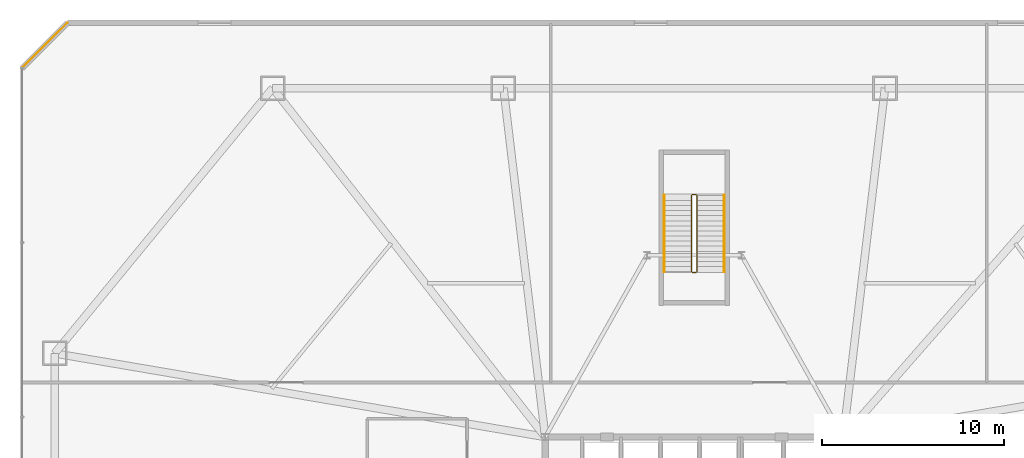
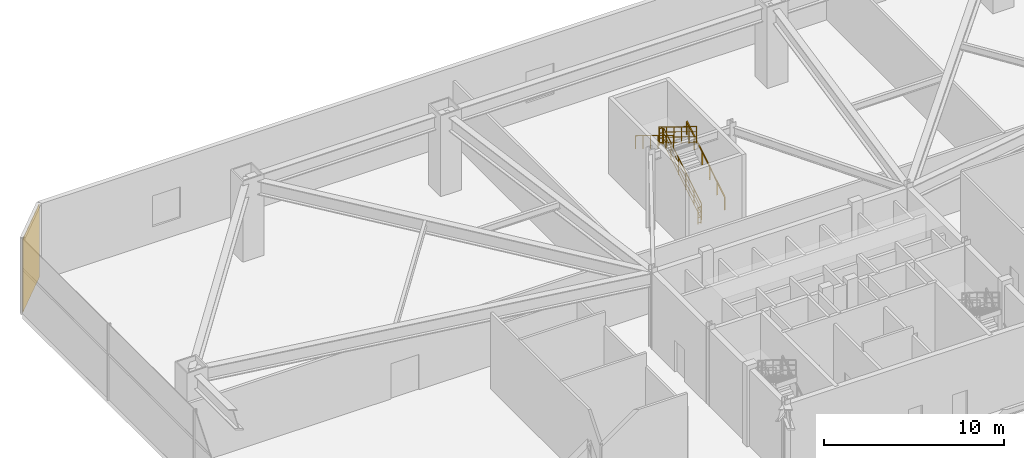
# One storey, part 19 of 20: 6 railings, 1 covering.
"""IFC4 building model written with IfcOpenShell, lengths in metres."""

from ifc_helpers import new_model, si_unit, direction, frame, frame_2d, origin, origin_2d, place, context, subcontext, project, spatial, rectangle, extrude, material, layer, layer_set, type_object, element, save


model = new_model("IFC4")

# Units and contexts
model_context = context("Model", 3, precision=1e-05, world=origin(), true_north=direction((0.0, 1.0)))
body_context = subcontext(model_context, "Body", "Model", "MODEL_VIEW")
ifc_project = project(units=[si_unit("LENGTHUNIT", "METRE"), si_unit("AREAUNIT", "SQUARE_METRE"), si_unit("VOLUMEUNIT", "CUBIC_METRE"), si_unit("PLANEANGLEUNIT", "RADIAN"), si_unit("MASSUNIT", "GRAM", prefix="KILO")], contexts=[model_context])

# Site, building, storey
site_placement = place(None, origin())
site = spatial("IfcSite", under=ifc_project, at=site_placement, CompositionType="ELEMENT")
building_placement = place(site_placement, origin())
building = spatial("IfcBuilding", under=site, at=building_placement, Name="Varakhsha Concourse Tower", CompositionType="ELEMENT")
storey_placement = place(building_placement, frame((0.0, 0.0, 16.5)))
storey = spatial("IfcBuildingStorey", under=building, at=storey_placement, Name="L04", CompositionType="ELEMENT", Elevation=16.5)

# Covering
ifc_material_1 = material(Name="Samarkand Glazed Terracotta Rainscreen Tile 32 mm", Category="masonry")
ifc_layer = layer(ifc_material_1, 0.031982421875, Name="COV-RAINSCREEN-32")
ifc_layer_set = layer_set([ifc_layer], Name="Samarkand Glazed Terracotta Rainscreen Tile 32 mm")
covering_type = type_object("IfcCoveringType", Name="COV-RAINSCREEN-32", PredefinedType="CLADDING", material=ifc_layer_set)
covering_placement = place(storey_placement, frame((5.5, 54.0, 0.10009765625), z_axis=(0.0, 0.0, 1.0), x_axis=(-0.707106781187, -0.707106781187, 0.0)))
element("IfcCovering", 1, at=covering_placement, inside=storey, type_object=covering_type, Name="L04 Terracotta Rainscreen Cladding 5", PredefinedType="CLADDING", context=body_context, shape_type="SweptSolid", body=[
    extrude(rectangle(XDim=3.53564453125, YDim=0.031982421875, at=frame_2d((1.767822265625, 0.0))), origin(), (0.0, 0.0, 1.0), 4.97998046875),
])

# Railings
ifc_material_2 = material(Name="Brushed Austenitic Stainless Steel AISI 316", Category="steel")
railing_type_1 = type_object("IfcRailingType", Name="RL-STAIR-GUARD-1100", PredefinedType="GUARDRAIL", material=ifc_material_2)
railing_1_placement = place(storey_placement, frame((40.14990234375, 40.300048828125, 0.171875)))
element("IfcRailing", 2, at=railing_1_placement, inside=storey, type_object=railing_type_1, Name="L04 ST5 stair guard 1", PredefinedType="GUARDRAIL", context=body_context, shape_type="SweptSolid", body=[
    extrude(rectangle(XDim=0.048095703125, YDim=0.048095703125, at=origin_2d()), frame((0.0, 0.0, 1.1259765625), z_axis=(0.0, 0.852242915053, 0.523146264196), x_axis=(-1.0, 0.0, 0.0)), (0.0, 0.0, 1.0), 4.92822265625),
    extrude(rectangle(XDim=0.028076171875, YDim=0.028076171875, at=origin_2d()), frame((0.0, 0.0, 0.080078125), z_axis=(0.0, 0.852242915053, 0.523146264196), x_axis=(-1.0, 0.0, 0.0)), (0.0, 0.0, 1.0), 4.92822265625),
    extrude(rectangle(XDim=0.028076171875, YDim=0.028076171875, at=origin_2d()), frame((0.0, 0.0, 0.43701171875), z_axis=(0.0, 0.852242915053, 0.523146264196), x_axis=(-1.0, 0.0, 0.0)), (0.0, 0.0, 1.0), 4.92822265625),
    extrude(rectangle(XDim=0.028076171875, YDim=0.028076171875, at=origin_2d()), frame((0.0, 0.0, 0.781982421875), z_axis=(0.0, 0.852242915053, 0.523146264196), x_axis=(-1.0, 0.0, 0.0)), (0.0, 0.0, 1.0), 4.92822265625),
    extrude(rectangle(XDim=0.0419921875, YDim=0.0419921875, at=origin_2d()), origin(), (0.0, 0.0, 1.0), 1.101806640625),
    extrude(rectangle(XDim=0.0419921875, YDim=0.0419921875, at=origin_2d()), frame((0.0, 0.840087890625, 0.515625)), (0.0, 0.0, 1.0), 1.101806640625),
    extrude(rectangle(XDim=0.0419921875, YDim=0.0419921875, at=origin_2d()), frame((0.0, 1.679931640625, 1.03125)), (0.0, 0.0, 1.0), 1.101806640625),
    extrude(rectangle(XDim=0.0419921875, YDim=0.0419921875, at=origin_2d()), frame((0.0, 2.52001953125, 1.546875)), (0.0, 0.0, 1.0), 1.101806640625),
    extrude(rectangle(XDim=0.0419921875, YDim=0.0419921875, at=origin_2d()), frame((0.0, 3.35986328125, 2.0625)), (0.0, 0.0, 1.0), 1.101806640625),
    extrude(rectangle(XDim=0.0419921875, YDim=0.0419921875, at=origin_2d()), frame((0.0, 4.199951171875, 2.578125)), (0.0, 0.0, 1.0), 1.101806640625),
])
railing_2_placement = place(storey_placement, frame((40.10009765625, 44.550048828125, 2.75)))
element("IfcRailing", 3, at=railing_2_placement, inside=storey, type_object=railing_type_1, Name="L04 ST5 stair guard 2", PredefinedType="GUARDRAIL", context=body_context, shape_type="SweptSolid", body=[
    extrude(rectangle(XDim=0.048095703125, YDim=0.048095703125, at=origin_2d()), frame((0.0, 0.0, 1.1259765625), z_axis=(-1.0, 0.0, 0.0), x_axis=(0.0, -1.0, 0.0)), (0.0, 0.0, 1.0), 0.2001953125),
    extrude(rectangle(XDim=0.028076171875, YDim=0.028076171875, at=origin_2d()), frame((0.0, 0.0, 0.080078125), z_axis=(-1.0, 0.0, 0.0), x_axis=(0.0, -1.0, 0.0)), (0.0, 0.0, 1.0), 0.2001953125),
    extrude(rectangle(XDim=0.028076171875, YDim=0.028076171875, at=origin_2d()), frame((0.0, 0.0, 0.43701171875), z_axis=(-1.0, 0.0, 0.0), x_axis=(0.0, -1.0, 0.0)), (0.0, 0.0, 1.0), 0.2001953125),
    extrude(rectangle(XDim=0.028076171875, YDim=0.028076171875, at=origin_2d()), frame((0.0, 0.0, 0.781982421875), z_axis=(-1.0, 0.0, 0.0), x_axis=(0.0, -1.0, 0.0)), (0.0, 0.0, 1.0), 0.2001953125),
    extrude(rectangle(XDim=0.0419921875, YDim=0.0419921875, at=origin_2d()), origin(), (0.0, 0.0, 1.0), 1.101806640625),
    extrude(rectangle(XDim=0.0419921875, YDim=0.0419921875, at=origin_2d()), frame((-0.2001953125, 0.0, 0.0)), (0.0, 0.0, 1.0), 1.101806640625),
])
railing_3_placement = place(storey_placement, frame((39.85009765625, 44.5, 2.921875)))
element("IfcRailing", 4, at=railing_3_placement, inside=storey, type_object=railing_type_1, Name="L04 ST5 stair guard 3", PredefinedType="GUARDRAIL", context=body_context, shape_type="SweptSolid", body=[
    extrude(rectangle(XDim=0.048095703125, YDim=0.048095703125, at=origin_2d()), frame((0.0, 0.0, 1.1259765625), z_axis=(0.0, -0.852242915053, 0.523146264196), x_axis=(1.0, 0.0, 0.0)), (0.0, 0.0, 1.0), 4.92822265625),
    extrude(rectangle(XDim=0.028076171875, YDim=0.028076171875, at=origin_2d()), frame((0.0, 0.0, 0.080078125), z_axis=(0.0, -0.852242915053, 0.523146264196), x_axis=(1.0, 0.0, 0.0)), (0.0, 0.0, 1.0), 4.92822265625),
    extrude(rectangle(XDim=0.028076171875, YDim=0.028076171875, at=origin_2d()), frame((0.0, 0.0, 0.43701171875), z_axis=(0.0, -0.852242915053, 0.523146264196), x_axis=(1.0, 0.0, 0.0)), (0.0, 0.0, 1.0), 4.92822265625),
    extrude(rectangle(XDim=0.028076171875, YDim=0.028076171875, at=origin_2d()), frame((0.0, 0.0, 0.781982421875), z_axis=(0.0, -0.852242915053, 0.523146264196), x_axis=(1.0, 0.0, 0.0)), (0.0, 0.0, 1.0), 4.92822265625),
    extrude(rectangle(XDim=0.0419921875, YDim=0.0419921875, at=origin_2d()), origin(), (0.0, 0.0, 1.0), 1.101806640625),
    extrude(rectangle(XDim=0.0419921875, YDim=0.0419921875, at=origin_2d()), frame((0.0, -0.840087890625, 0.515625)), (0.0, 0.0, 1.0), 1.101806640625),
    extrude(rectangle(XDim=0.0419921875, YDim=0.0419921875, at=origin_2d()), frame((0.0, -1.679931640625, 1.03125)), (0.0, 0.0, 1.0), 1.101806640625),
    extrude(rectangle(XDim=0.0419921875, YDim=0.0419921875, at=origin_2d()), frame((0.0, -2.52001953125, 1.546875)), (0.0, 0.0, 1.0), 1.101806640625),
    extrude(rectangle(XDim=0.0419921875, YDim=0.0419921875, at=origin_2d()), frame((0.0, -3.35986328125, 2.0625)), (0.0, 0.0, 1.0), 1.101806640625),
    extrude(rectangle(XDim=0.0419921875, YDim=0.0419921875, at=origin_2d()), frame((0.0, -4.199951171875, 2.578125)), (0.0, 0.0, 1.0), 1.101806640625),
])
railing_4_placement = place(storey_placement, frame((40.10009765625, 40.25, 0.0)))
element("IfcRailing", 5, at=railing_4_placement, inside=storey, type_object=railing_type_1, Name="L04 ST5 stair guard 4", PredefinedType="GUARDRAIL", context=body_context, shape_type="SweptSolid", body=[
    extrude(rectangle(XDim=0.048095703125, YDim=0.048095703125, at=origin_2d()), frame((0.0, 0.0, 1.1259765625), z_axis=(-1.0, 0.0, 0.0), x_axis=(0.0, -1.0, 0.0)), (0.0, 0.0, 1.0), 0.2001953125),
    extrude(rectangle(XDim=0.028076171875, YDim=0.028076171875, at=origin_2d()), frame((0.0, 0.0, 0.080078125), z_axis=(-1.0, 0.0, 0.0), x_axis=(0.0, -1.0, 0.0)), (0.0, 0.0, 1.0), 0.2001953125),
    extrude(rectangle(XDim=0.028076171875, YDim=0.028076171875, at=origin_2d()), frame((0.0, 0.0, 0.43701171875), z_axis=(-1.0, 0.0, 0.0), x_axis=(0.0, -1.0, 0.0)), (0.0, 0.0, 1.0), 0.2001953125),
    extrude(rectangle(XDim=0.028076171875, YDim=0.028076171875, at=origin_2d()), frame((0.0, 0.0, 0.781982421875), z_axis=(-1.0, 0.0, 0.0), x_axis=(0.0, -1.0, 0.0)), (0.0, 0.0, 1.0), 0.2001953125),
    extrude(rectangle(XDim=0.0419921875, YDim=0.0419921875, at=origin_2d()), origin(), (0.0, 0.0, 1.0), 1.101806640625),
    extrude(rectangle(XDim=0.0419921875, YDim=0.0419921875, at=origin_2d()), frame((-0.2001953125, 0.0, 0.0)), (0.0, 0.0, 1.0), 1.101806640625),
])
railing_type_2 = type_object("IfcRailingType", Name="RL-STAIR-RAIL-915", PredefinedType="HANDRAIL", material=ifc_material_2)
railing_5_placement = place(storey_placement, frame((41.64990234375, 40.300048828125, 0.34375)))
element("IfcRailing", 6, at=railing_5_placement, inside=storey, type_object=railing_type_2, Name="L04 ST5 stair handrail 1", PredefinedType="HANDRAIL", context=body_context, shape_type="SweptSolid", body=[
    extrude(rectangle(XDim=0.048095703125, YDim=0.048095703125, at=origin_2d()), frame((0.0, 0.0, 0.89111328125), z_axis=(0.0, 0.852242915053, 0.523146264196), x_axis=(-1.0, 0.0, 0.0)), (0.0, 0.0, 1.0), 4.92822265625),
    extrude(rectangle(XDim=0.0419921875, YDim=0.0419921875, at=origin_2d()), origin(), (0.0, 0.0, 1.0), 0.866943359375),
    extrude(rectangle(XDim=0.0419921875, YDim=0.0419921875, at=origin_2d()), frame((0.0, 0.840087890625, 0.515625)), (0.0, 0.0, 1.0), 0.866943359375),
    extrude(rectangle(XDim=0.0419921875, YDim=0.0419921875, at=origin_2d()), frame((0.0, 1.679931640625, 1.03125)), (0.0, 0.0, 1.0), 0.866943359375),
    extrude(rectangle(XDim=0.0419921875, YDim=0.0419921875, at=origin_2d()), frame((0.0, 2.52001953125, 1.546875)), (0.0, 0.0, 1.0), 0.866943359375),
    extrude(rectangle(XDim=0.0419921875, YDim=0.0419921875, at=origin_2d()), frame((0.0, 3.35986328125, 2.0625)), (0.0, 0.0, 1.0), 0.866943359375),
    extrude(rectangle(XDim=0.0419921875, YDim=0.0419921875, at=origin_2d()), frame((0.0, 4.199951171875, 2.578125)), (0.0, 0.0, 1.0), 0.866943359375),
])
railing_6_placement = place(storey_placement, frame((38.35009765625, 44.5, 3.09375)))
element("IfcRailing", 7, at=railing_6_placement, inside=storey, type_object=railing_type_2, Name="L04 ST5 stair handrail 2", PredefinedType="HANDRAIL", context=body_context, shape_type="SweptSolid", body=[
    extrude(rectangle(XDim=0.048095703125, YDim=0.048095703125, at=origin_2d()), frame((0.0, 0.0, 0.89111328125), z_axis=(0.0, -0.852242915053, 0.523146264196), x_axis=(1.0, 0.0, 0.0)), (0.0, 0.0, 1.0), 4.92822265625),
    extrude(rectangle(XDim=0.0419921875, YDim=0.0419921875, at=origin_2d()), origin(), (0.0, 0.0, 1.0), 0.866943359375),
    extrude(rectangle(XDim=0.0419921875, YDim=0.0419921875, at=origin_2d()), frame((0.0, -0.840087890625, 0.515625)), (0.0, 0.0, 1.0), 0.866943359375),
    extrude(rectangle(XDim=0.0419921875, YDim=0.0419921875, at=origin_2d()), frame((0.0, -1.679931640625, 1.03125)), (0.0, 0.0, 1.0), 0.866943359375),
    extrude(rectangle(XDim=0.0419921875, YDim=0.0419921875, at=origin_2d()), frame((0.0, -2.52001953125, 1.546875)), (0.0, 0.0, 1.0), 0.866943359375),
    extrude(rectangle(XDim=0.0419921875, YDim=0.0419921875, at=origin_2d()), frame((0.0, -3.35986328125, 2.0625)), (0.0, 0.0, 1.0), 0.866943359375),
    extrude(rectangle(XDim=0.0419921875, YDim=0.0419921875, at=origin_2d()), frame((0.0, -4.199951171875, 2.578125)), (0.0, 0.0, 1.0), 0.866943359375),
])

save(model, "model.ifc")
